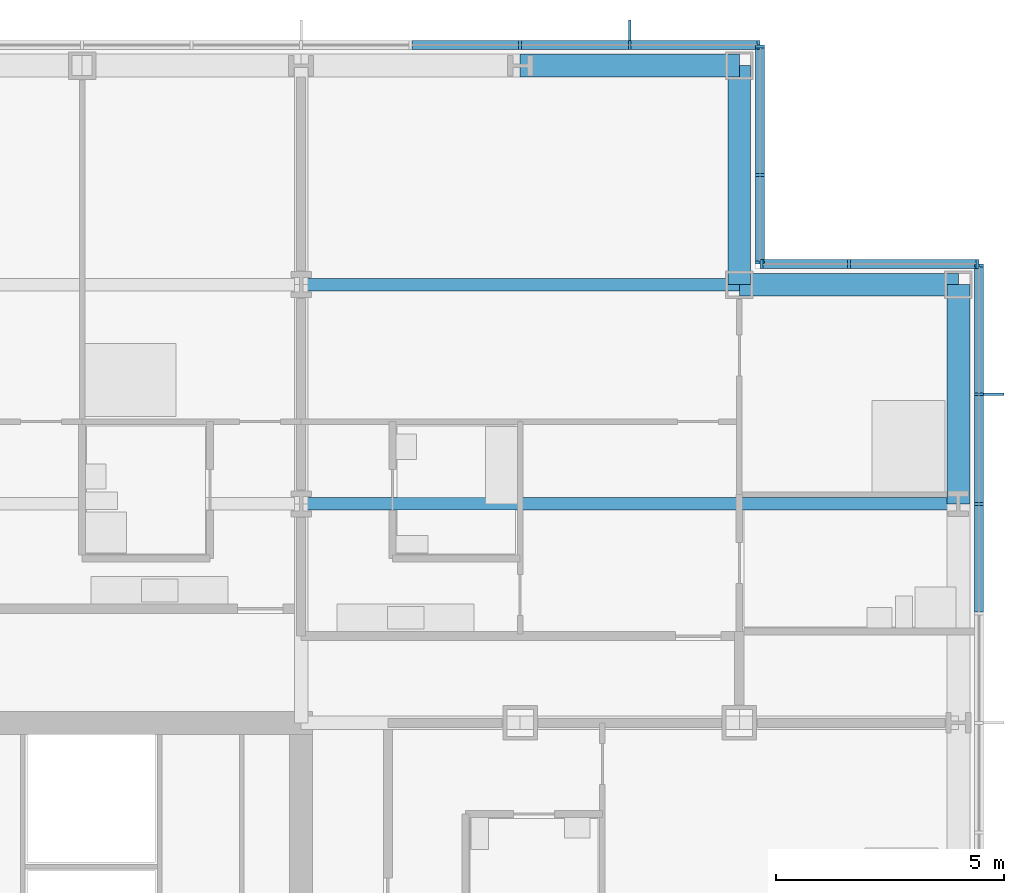
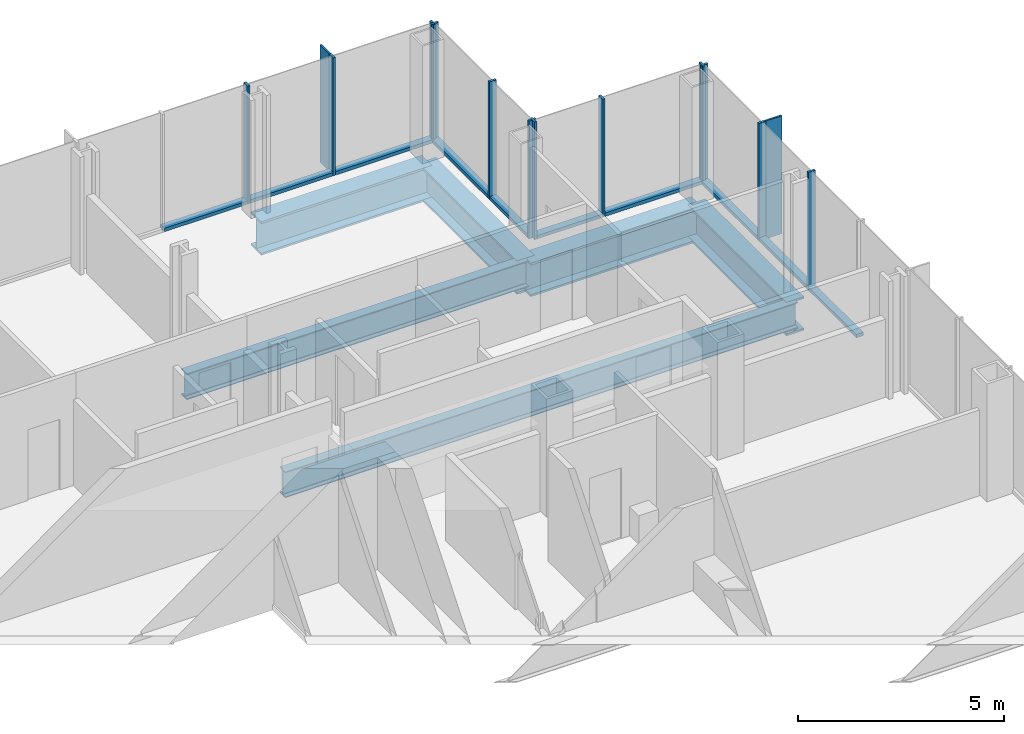
# One storey, part 11 of 21: 24 members, 6 beams, 4 elements without a shape of their own.
"""IFC4 building model written with IfcOpenShell, lengths in metres."""

from ifc_helpers import new_model, si_unit, direction, frame, origin, origin_2d, place, context, subcontext, project, spatial, rectangle, i_section, extrude, material, material_profile, profile_set, type_object, element, aggregate, save


model = new_model("IFC4")

# Units and contexts
model_context = context("Model", 3, precision=1e-05, world=origin(), true_north=direction((0.0, 1.0)))
body_context = subcontext(model_context, "Body", "Model", "MODEL_VIEW")
ifc_project = project(units=[si_unit("LENGTHUNIT", "METRE"), si_unit("AREAUNIT", "SQUARE_METRE"), si_unit("VOLUMEUNIT", "CUBIC_METRE"), si_unit("PLANEANGLEUNIT", "RADIAN"), si_unit("MASSUNIT", "GRAM", prefix="KILO")], contexts=[model_context])

# Site, building, storey
site_placement = place(None, origin())
site = spatial("IfcSite", under=ifc_project, at=site_placement, CompositionType="ELEMENT")
building_placement = place(site_placement, origin())
building = spatial("IfcBuilding", under=site, at=building_placement, Name="Kvirike Care Tower", CompositionType="ELEMENT")
storey_placement = place(building_placement, frame((0.0, 0.0, 58.5)))
storey = spatial("IfcBuildingStorey", under=building, at=storey_placement, Name="L15", CompositionType="ELEMENT", Elevation=58.5)

# Curtain wall, member
ifc_material_1 = material(Name="Anodised aluminium stick system", Category="aluminium")
curtain_wall_type = type_object("IfcCurtainWallType", Name="CW-A STICK CURTAIN WALL", PredefinedType="NOTDEFINED", material=ifc_material_1)
curtain_wall_1_placement = place(storey_placement, origin())
curtain_wall_1 = element("IfcCurtainWall", 1, at=curtain_wall_1_placement, inside=storey, type_object=curtain_wall_type, Name="Curtain wall L15 face 7", PredefinedType="NOTDEFINED")
ifc_material_2 = material(Name="Bronze anodised aluminium fin", Category="aluminium")
ifc_material_profile_1 = material_profile(ifc_material_2, rectangle(XDim=0.050048828125, YDim=0.449951171875, at=origin_2d()), Name="BRONZE FIN 450")
ifc_profile_set_1 = profile_set([ifc_material_profile_1], Name="Bronze anodised aluminium fin")
member_type_1 = type_object("IfcMemberType", Name="BRONZE FIN 450", PredefinedType="USERDEFINED", material=ifc_profile_set_1)
member_1_placement = place(storey_placement, frame((43.97509765625, 50.39990234375, 0.0), z_axis=(0.0, 0.0, 1.0), x_axis=(0.0, 1.0, 0.0)))
member_1 = element("IfcMember", 2, at=member_1_placement, type_object=member_type_1, Name="Bronze fin L15 face 7.14", ObjectType="FIN", PredefinedType="USERDEFINED", context=body_context, shape_type="SweptSolid", body=[
    extrude(rectangle(XDim=0.050048828125, YDim=0.449951171875, at=origin_2d()), origin(), (0.0, 0.0, 1.0), 3.5),
])

curtain_wall_2_placement = place(storey_placement, origin())
curtain_wall_2 = element("IfcCurtainWall", 3, at=curtain_wall_2_placement, inside=storey, type_object=curtain_wall_type, Name="Curtain wall L15 face 10", PredefinedType="NOTDEFINED")
member_2_placement = place(storey_placement, frame((36.0, 58.375, 0.0), z_axis=(0.0, 0.0, 1.0), x_axis=(-1.0, 0.0, 0.0)))
member_2 = element("IfcMember", 4, at=member_2_placement, type_object=member_type_1, Name="Bronze fin L15 face 10.2", ObjectType="FIN", PredefinedType="USERDEFINED", context=body_context, shape_type="SweptSolid", body=[
    extrude(rectangle(XDim=0.050048828125, YDim=0.449951171875, at=origin_2d()), origin(), (0.0, 0.0, 1.0), 3.5),
])

# Member
ifc_material_3 = material(Name="Bronze anodised aluminium mullion", Category="aluminium")
ifc_material_profile_2 = material_profile(ifc_material_3, rectangle(XDim=0.06494140625, YDim=0.199951171875, at=origin_2d()), Name="CW-A MULLION 65x200")
ifc_profile_set_2 = profile_set([ifc_material_profile_2], Name="Bronze anodised aluminium mullion")
member_type_2 = type_object("IfcMemberType", Name="CW-A MULLION 65x200", PredefinedType="MULLION", material=ifc_profile_set_2)
member_3_placement = place(storey_placement, frame((43.64990234375, 48.0, 0.0), z_axis=(0.0, 0.0, 1.0), x_axis=(0.0, 1.0, 0.0)))
member_3 = element("IfcMember", 5, at=member_3_placement, type_object=member_type_2, Name="CW-A mullion L15 face 7.13", PredefinedType="MULLION", context=body_context, shape_type="SweptSolid", body=[
    extrude(rectangle(XDim=0.06494140625, YDim=0.199951171875, at=origin_2d()), origin(), (0.0, 0.0, 1.0), 3.5),
])

member_4_placement = place(storey_placement, frame((43.64990234375, 50.39990234375, 0.0), z_axis=(0.0, 0.0, 1.0), x_axis=(0.0, 1.0, 0.0)))
member_4 = element("IfcMember", 6, at=member_4_placement, type_object=member_type_2, Name="CW-A mullion L15 face 7.14", PredefinedType="MULLION", context=body_context, shape_type="SweptSolid", body=[
    extrude(rectangle(XDim=0.06494140625, YDim=0.199951171875, at=origin_2d()), origin(), (0.0, 0.0, 1.0), 3.5),
])

member_5_placement = place(storey_placement, frame((43.64990234375, 53.217529296875, 0.0), z_axis=(0.0, 0.0, 1.0), x_axis=(0.0, 1.0, 0.0)))
member_5 = element("IfcMember", 7, at=member_5_placement, type_object=member_type_2, Name="CW-A mullion L15 face 7.15", PredefinedType="MULLION", context=body_context, shape_type="SweptSolid", body=[
    extrude(rectangle(XDim=0.06494140625, YDim=0.199951171875, at=origin_2d()), origin(), (0.0, 0.0, 1.0), 3.5),
])

# Curtain wall, members
curtain_wall_3_placement = place(storey_placement, origin())
curtain_wall_3 = element("IfcCurtainWall", 8, at=curtain_wall_3_placement, inside=storey, type_object=curtain_wall_type, Name="Curtain wall L15 face 8", PredefinedType="NOTDEFINED")
member_6_placement = place(storey_placement, frame((43.617431640625, 53.25, 0.0), z_axis=(0.0, 0.0, 1.0), x_axis=(-1.0, 0.0, 0.0)))
member_6 = element("IfcMember", 9, at=member_6_placement, type_object=member_type_2, Name="CW-A mullion L15 face 8.1", PredefinedType="MULLION", context=body_context, shape_type="SweptSolid", body=[
    extrude(rectangle(XDim=0.06494140625, YDim=0.199951171875, at=origin_2d()), origin(), (0.0, 0.0, 1.0), 3.5),
])
member_7_placement = place(storey_placement, frame((40.800048828125, 53.25, 0.0), z_axis=(0.0, 0.0, 1.0), x_axis=(-1.0, 0.0, 0.0)))
member_7 = element("IfcMember", 10, at=member_7_placement, type_object=member_type_2, Name="CW-A mullion L15 face 8.2", PredefinedType="MULLION", context=body_context, shape_type="SweptSolid", body=[
    extrude(rectangle(XDim=0.06494140625, YDim=0.199951171875, at=origin_2d()), origin(), (0.0, 0.0, 1.0), 3.5),
])
member_8_placement = place(storey_placement, frame((38.882568359375, 53.25, 0.0), z_axis=(0.0, 0.0, 1.0), x_axis=(-1.0, 0.0, 0.0)))
member_8 = element("IfcMember", 11, at=member_8_placement, type_object=member_type_2, Name="CW-A mullion L15 face 8.3", PredefinedType="MULLION", context=body_context, shape_type="SweptSolid", body=[
    extrude(rectangle(XDim=0.06494140625, YDim=0.199951171875, at=origin_2d()), origin(), (0.0, 0.0, 1.0), 3.5),
])

curtain_wall_4_placement = place(storey_placement, origin())
curtain_wall_4 = element("IfcCurtainWall", 12, at=curtain_wall_4_placement, inside=storey, type_object=curtain_wall_type, Name="Curtain wall L15 face 9", PredefinedType="NOTDEFINED")
member_9_placement = place(storey_placement, frame((38.85009765625, 53.282470703125, 0.0), z_axis=(0.0, 0.0, 1.0), x_axis=(0.0, 1.0, 0.0)))
member_9 = element("IfcMember", 13, at=member_9_placement, type_object=member_type_2, Name="CW-A mullion L15 face 9.1", PredefinedType="MULLION", context=body_context, shape_type="SweptSolid", body=[
    extrude(rectangle(XDim=0.06494140625, YDim=0.199951171875, at=origin_2d()), origin(), (0.0, 0.0, 1.0), 3.5),
])
member_10_placement = place(storey_placement, frame((38.85009765625, 55.199951171875, 0.0), z_axis=(0.0, 0.0, 1.0), x_axis=(0.0, 1.0, 0.0)))
member_10 = element("IfcMember", 14, at=member_10_placement, type_object=member_type_2, Name="CW-A mullion L15 face 9.2", PredefinedType="MULLION", context=body_context, shape_type="SweptSolid", body=[
    extrude(rectangle(XDim=0.06494140625, YDim=0.199951171875, at=origin_2d()), origin(), (0.0, 0.0, 1.0), 3.5),
])
member_11_placement = place(storey_placement, frame((38.85009765625, 58.017578125, 0.0), z_axis=(0.0, 0.0, 1.0), x_axis=(0.0, 1.0, 0.0)))
member_11 = element("IfcMember", 15, at=member_11_placement, type_object=member_type_2, Name="CW-A mullion L15 face 9.3", PredefinedType="MULLION", context=body_context, shape_type="SweptSolid", body=[
    extrude(rectangle(XDim=0.06494140625, YDim=0.199951171875, at=origin_2d()), origin(), (0.0, 0.0, 1.0), 3.5),
])

# Member
member_12_placement = place(storey_placement, frame((38.8173828125, 58.050048828125, 0.0), z_axis=(0.0, 0.0, 1.0), x_axis=(-1.0, 0.0, 0.0)))
member_12 = element("IfcMember", 16, at=member_12_placement, type_object=member_type_2, Name="CW-A mullion L15 face 10.1", PredefinedType="MULLION", context=body_context, shape_type="SweptSolid", body=[
    extrude(rectangle(XDim=0.06494140625, YDim=0.199951171875, at=origin_2d()), origin(), (0.0, 0.0, 1.0), 3.5),
])

member_13_placement = place(storey_placement, frame((36.0, 58.050048828125, 0.0), z_axis=(0.0, 0.0, 1.0), x_axis=(-1.0, 0.0, 0.0)))
member_13 = element("IfcMember", 17, at=member_13_placement, type_object=member_type_2, Name="CW-A mullion L15 face 10.2", PredefinedType="MULLION", context=body_context, shape_type="SweptSolid", body=[
    extrude(rectangle(XDim=0.06494140625, YDim=0.199951171875, at=origin_2d()), origin(), (0.0, 0.0, 1.0), 3.5),
])

member_14_placement = place(storey_placement, frame((33.60009765625, 58.050048828125, 0.0), z_axis=(0.0, 0.0, 1.0), x_axis=(-1.0, 0.0, 0.0)))
member_14 = element("IfcMember", 18, at=member_14_placement, type_object=member_type_2, Name="CW-A mullion L15 face 10.3", PredefinedType="MULLION", context=body_context, shape_type="SweptSolid", body=[
    extrude(rectangle(XDim=0.06494140625, YDim=0.199951171875, at=origin_2d()), origin(), (0.0, 0.0, 1.0), 3.5),
])

ifc_material_4 = material(Name="Bronze anodised aluminium transom", Category="aluminium")
ifc_material_profile_3 = material_profile(ifc_material_4, rectangle(XDim=0.199951171875, YDim=0.10009765625, at=origin_2d()), Name="CW-A TRANSOM 200x100")
ifc_profile_set_3 = profile_set([ifc_material_profile_3], Name="Bronze anodised aluminium transom")
member_type_3 = type_object("IfcMemberType", Name="CW-A TRANSOM 200x100", PredefinedType="USERDEFINED", material=ifc_profile_set_3)
member_15_placement = place(storey_placement, frame((43.64990234375, 45.632568359375, 0.050048828125), z_axis=(0.0, 1.0, 0.0), x_axis=(-1.0, 0.0, 0.0)))
member_15 = element("IfcMember", 19, at=member_15_placement, type_object=member_type_3, Name="CW-A sill transom L15 face 7.12", ObjectType="TRANSOM", PredefinedType="USERDEFINED", context=body_context, shape_type="SweptSolid", body=[
    extrude(rectangle(XDim=0.199951171875, YDim=0.10009765625, at=origin_2d()), origin(), (0.0, 0.0, 1.0), 2.3349609375),
])

member_16_placement = place(storey_placement, frame((43.64990234375, 48.032470703125, 0.050048828125), z_axis=(0.0, 1.0, 0.0), x_axis=(-1.0, 0.0, 0.0)))
member_16 = element("IfcMember", 20, at=member_16_placement, type_object=member_type_3, Name="CW-A sill transom L15 face 7.13", ObjectType="TRANSOM", PredefinedType="USERDEFINED", context=body_context, shape_type="SweptSolid", body=[
    extrude(rectangle(XDim=0.199951171875, YDim=0.10009765625, at=origin_2d()), origin(), (0.0, 0.0, 1.0), 2.3349609375),
])

member_17_placement = place(storey_placement, frame((43.64990234375, 50.4326171875, 0.050048828125), z_axis=(0.0, 1.0, 0.0), x_axis=(-1.0, 0.0, 0.0)))
member_17 = element("IfcMember", 21, at=member_17_placement, type_object=member_type_3, Name="CW-A sill transom L15 face 7.14", ObjectType="TRANSOM", PredefinedType="USERDEFINED", context=body_context, shape_type="SweptSolid", body=[
    extrude(rectangle(XDim=0.199951171875, YDim=0.10009765625, at=origin_2d()), origin(), (0.0, 0.0, 1.0), 2.75244140625),
])

aggregate(curtain_wall_1, [member_3, member_4, member_1, member_5, member_15, member_16, member_17])

member_18_placement = place(storey_placement, frame((43.5849609375, 53.25, 0.050048828125), z_axis=(-1.0, 0.0, 0.0), x_axis=(0.0, -1.0, 0.0)))
member_18 = element("IfcMember", 22, at=member_18_placement, type_object=member_type_3, Name="CW-A sill transom L15 face 8.1", ObjectType="TRANSOM", PredefinedType="USERDEFINED", context=body_context, shape_type="SweptSolid", body=[
    extrude(rectangle(XDim=0.199951171875, YDim=0.10009765625, at=origin_2d()), origin(), (0.0, 0.0, 1.0), 2.75244140625),
])

member_19_placement = place(storey_placement, frame((40.767578125, 53.25, 0.050048828125), z_axis=(-1.0, 0.0, 0.0), x_axis=(0.0, -1.0, 0.0)))
member_19 = element("IfcMember", 23, at=member_19_placement, type_object=member_type_3, Name="CW-A sill transom L15 face 8.2", ObjectType="TRANSOM", PredefinedType="USERDEFINED", context=body_context, shape_type="SweptSolid", body=[
    extrude(rectangle(XDim=0.199951171875, YDim=0.10009765625, at=origin_2d()), origin(), (0.0, 0.0, 1.0), 1.8525390625),
])

aggregate(curtain_wall_3, [member_6, member_7, member_8, member_18, member_19])

member_20_placement = place(storey_placement, frame((38.85009765625, 53.31494140625, 0.050048828125), z_axis=(0.0, 1.0, 0.0), x_axis=(-1.0, 0.0, 0.0)))
member_20 = element("IfcMember", 24, at=member_20_placement, type_object=member_type_3, Name="CW-A sill transom L15 face 9.1", ObjectType="TRANSOM", PredefinedType="USERDEFINED", context=body_context, shape_type="SweptSolid", body=[
    extrude(rectangle(XDim=0.199951171875, YDim=0.10009765625, at=origin_2d()), origin(), (0.0, 0.0, 1.0), 1.8525390625),
])

member_21_placement = place(storey_placement, frame((38.85009765625, 55.232421875, 0.050048828125), z_axis=(0.0, 1.0, 0.0), x_axis=(-1.0, 0.0, 0.0)))
member_21 = element("IfcMember", 25, at=member_21_placement, type_object=member_type_3, Name="CW-A sill transom L15 face 9.2", ObjectType="TRANSOM", PredefinedType="USERDEFINED", context=body_context, shape_type="SweptSolid", body=[
    extrude(rectangle(XDim=0.199951171875, YDim=0.10009765625, at=origin_2d()), origin(), (0.0, 0.0, 1.0), 2.752685546875),
])

aggregate(curtain_wall_4, [member_9, member_10, member_11, member_20, member_21])

member_22_placement = place(storey_placement, frame((38.784912109375, 58.050048828125, 0.050048828125), z_axis=(-1.0, 0.0, 0.0), x_axis=(0.0, -1.0, 0.0)))
member_22 = element("IfcMember", 26, at=member_22_placement, type_object=member_type_3, Name="CW-A sill transom L15 face 10.1", ObjectType="TRANSOM", PredefinedType="USERDEFINED", context=body_context, shape_type="SweptSolid", body=[
    extrude(rectangle(XDim=0.199951171875, YDim=0.10009765625, at=origin_2d()), origin(), (0.0, 0.0, 1.0), 2.75244140625),
])

member_23_placement = place(storey_placement, frame((35.967529296875, 58.050048828125, 0.050048828125), z_axis=(-1.0, 0.0, 0.0), x_axis=(0.0, -1.0, 0.0)))
member_23 = element("IfcMember", 27, at=member_23_placement, type_object=member_type_3, Name="CW-A sill transom L15 face 10.2", ObjectType="TRANSOM", PredefinedType="USERDEFINED", context=body_context, shape_type="SweptSolid", body=[
    extrude(rectangle(XDim=0.199951171875, YDim=0.10009765625, at=origin_2d()), origin(), (0.0, 0.0, 1.0), 2.3349609375),
])

member_24_placement = place(storey_placement, frame((33.5673828125, 58.050048828125, 0.050048828125), z_axis=(-1.0, 0.0, 0.0), x_axis=(0.0, -1.0, 0.0)))
member_24 = element("IfcMember", 28, at=member_24_placement, type_object=member_type_3, Name="CW-A sill transom L15 face 10.3", ObjectType="TRANSOM", PredefinedType="USERDEFINED", context=body_context, shape_type="SweptSolid", body=[
    extrude(rectangle(XDim=0.199951171875, YDim=0.10009765625, at=origin_2d()), origin(), (0.0, 0.0, 1.0), 2.3349609375),
])

aggregate(curtain_wall_2, [member_12, member_13, member_2, member_14, member_22, member_23, member_24])

# Beams
ifc_material_5 = material(Name="Steel S355", Category="steel")
ifc_material_profile_4 = material_profile(ifc_material_5, i_section(OverallWidth=0.26806640625, OverallDepth=0.77001953125, WebThickness=0.015625, FlangeThickness=0.025390625, FilletRadius=0.01708984375, at=origin_2d()), Name="IPE 750x196")
ifc_profile_set_4 = profile_set([ifc_material_profile_4], Name="Steel S355")
beam_type_1 = type_object("IfcBeamType", Name="FLOOR BEAM IPE 750x196", PredefinedType="BEAM", material=ifc_profile_set_4)
beam_1_placement = place(storey_placement, frame((28.800048828125, 48.0, -0.554931640625), z_axis=(1.0, 0.0, 0.0), x_axis=(0.0, 1.0, 0.0)))
element("IfcBeam", 29, at=beam_1_placement, inside=storey, type_object=beam_type_1, Name="Floor Beam L9-L12 L15", PredefinedType="BEAM", context=body_context, shape_type="SweptSolid", body=[
    extrude(i_section(OverallWidth=0.26806640625, OverallDepth=0.77001953125, WebThickness=0.015625, FlangeThickness=0.025390625, FilletRadius=0.01708984375, at=origin_2d()), origin(), (0.0, 0.0, 1.0), 14.39990234375),
])
beam_2_placement = place(storey_placement, frame((28.800048828125, 52.800048828125, -0.554931640625), z_axis=(1.0, 0.0, 0.0), x_axis=(0.0, 1.0, 0.0)))
element("IfcBeam", 30, at=beam_2_placement, inside=storey, type_object=beam_type_1, Name="Floor Beam M9-M11 L15", PredefinedType="BEAM", context=body_context, shape_type="SweptSolid", body=[
    extrude(i_section(OverallWidth=0.26806640625, OverallDepth=0.77001953125, WebThickness=0.015625, FlangeThickness=0.025390625, FilletRadius=0.01708984375, at=origin_2d()), origin(), (0.0, 0.0, 1.0), 9.599853515625),
])
ifc_material_6 = material(Name="Steel S355", Category="steel")
ifc_material_profile_5 = material_profile(ifc_material_6, i_section(OverallWidth=0.5, OverallDepth=1.0, WebThickness=0.030029296875, FlangeThickness=0.06005859375, at=origin_2d()), Name="PG 1000x500x30x60")
ifc_profile_set_5 = profile_set([ifc_material_profile_5], Name="Steel S355")
beam_type_2 = type_object("IfcBeamType", Name="SPANDREL PG 1000x500x30x60", PredefinedType="SPANDREL", material=ifc_profile_set_5)
beam_3_placement = place(storey_placement, frame((38.39990234375, 52.800048828125, -0.669921875), z_axis=(1.0, 0.0, 0.0), x_axis=(0.0, 1.0, 0.0)))
element("IfcBeam", 31, at=beam_3_placement, inside=storey, type_object=beam_type_2, Name="Spandrel M11-M12 L15", PredefinedType="SPANDREL", context=body_context, shape_type="SweptSolid", body=[
    extrude(i_section(OverallWidth=0.5, OverallDepth=1.0, WebThickness=0.030029296875, FlangeThickness=0.06005859375, at=origin_2d()), origin(), (0.0, 0.0, 1.0), 4.800048828125),
])
beam_4_placement = place(storey_placement, frame((33.60009765625, 57.60009765625, -0.669921875), z_axis=(1.0, 0.0, 0.0), x_axis=(0.0, 1.0, 0.0)))
element("IfcBeam", 32, at=beam_4_placement, inside=storey, type_object=beam_type_2, Name="Spandrel N10-N11 L15", PredefinedType="SPANDREL", context=body_context, shape_type="SweptSolid", body=[
    extrude(i_section(OverallWidth=0.5, OverallDepth=1.0, WebThickness=0.030029296875, FlangeThickness=0.06005859375, at=origin_2d()), origin(), (0.0, 0.0, 1.0), 4.7998046875),
])
for number, where, z_axis, x_axis, name in (
    (33, (38.39990234375, 52.800048828125, -0.669921875), (0.0, 1.0, 0.0), (-1.0, 0.0, 0.0), "Spandrel M11-N11 L15"),
    (34, (43.199951171875, 48.0, -0.669921875), (0.0, 1.0, 0.0), (-1.0, 0.0, 0.0), "Spandrel L12-M12 L15"),
):
    element("IfcBeam", number, at=place(storey_placement, frame(where, z_axis=z_axis, x_axis=x_axis)), inside=storey, type_object=beam_type_2, Name=name, PredefinedType="SPANDREL", context=body_context, shape_type="SweptSolid", body=[
        extrude(i_section(OverallWidth=0.5, OverallDepth=1.0, WebThickness=0.030029296875, FlangeThickness=0.06005859375, at=origin_2d()), origin(), (0.0, 0.0, 1.0), 4.800048828125),
    ])

save(model, "model.ifc")
